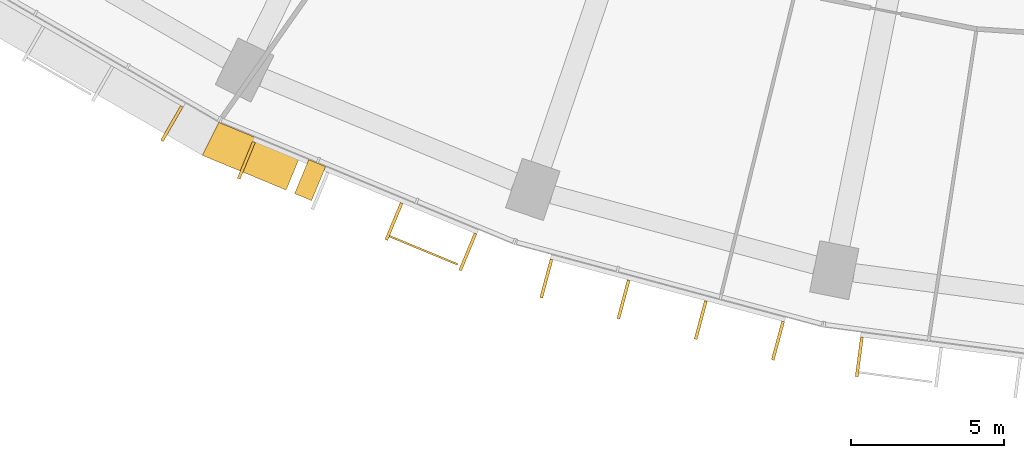
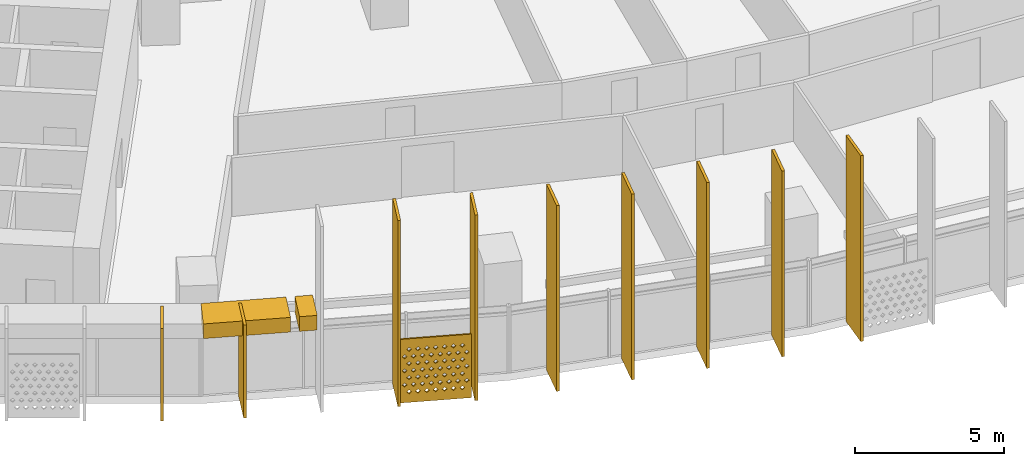
# One storey, part 27 of 33: 12 shading devices.
"""IFC4 building model written with IfcOpenShell, lengths in metres."""

from ifc_helpers import new_model, si_unit, direction, frame, origin, origin_2d, place, context, subcontext, project, spatial, polyline, rectangle, outline, extrude, material, material_profile, profile_set, type_object, element, save


model = new_model("IFC4")

# Units and contexts
model_context = context("Model", 3, precision=1e-05, world=origin(), true_north=direction((0.0, 1.0)))
body_context = subcontext(model_context, "Body", "Model", "MODEL_VIEW")
ifc_project = project(units=[si_unit("LENGTHUNIT", "METRE"), si_unit("AREAUNIT", "SQUARE_METRE"), si_unit("VOLUMEUNIT", "CUBIC_METRE"), si_unit("PLANEANGLEUNIT", "RADIAN"), si_unit("MASSUNIT", "GRAM", prefix="KILO")], contexts=[model_context])

# Site, building, storey
site_placement = place(None, origin())
site = spatial("IfcSite", under=ifc_project, at=site_placement, CompositionType="ELEMENT")
building_placement = place(site_placement, origin())
building = spatial("IfcBuilding", under=site, at=building_placement, Name="Qamariyya Broadcast Tower", CompositionType="ELEMENT")
storey_placement = place(building_placement, frame((0.0, 0.0, 78.5)))
storey = spatial("IfcBuildingStorey", under=building, at=storey_placement, Name="L16", CompositionType="ELEMENT", Elevation=78.5)

# Shading devices
ifc_material_1 = material(Name="Steel S355 powder coated deep red", Category="steel")
shading_device_type_1 = type_object("IfcShadingDeviceType", Name="Deep red frame, powder coated steel box section", PredefinedType="USERDEFINED", material=ifc_material_1)
shading_device_1_placement = place(storey_placement, frame((0.0, 0.0, 3.199951171875)))
element("IfcShadingDevice", 1, at=shading_device_1_placement, inside=storey, type_object=shading_device_type_1, Name="e-frm-B1-F2-postb-L16", ObjectType="FRAME", PredefinedType="USERDEFINED", context=body_context, shape_type="SweptSolid", body=[
    extrude(outline(polyline([(-32.296875, -72.650146484375), (-32.756103515625, -73.7587890625), (-32.201904296875, -73.98828125), (-31.74267578125, -72.879638671875), (-32.296875, -72.650146484375)])), origin(), (0.0, 0.0, 1.0), 0.60009765625),
])
shading_device_2_placement = place(storey_placement, frame((0.0, 0.0, 3.199951171875)))
element("IfcShadingDevice", 2, at=shading_device_2_placement, inside=storey, type_object=shading_device_type_1, Name="e-frm-B1-F2-bot2", ObjectType="FRAME", PredefinedType="USERDEFINED", context=body_context, shape_type="SweptSolid", body=[
    extrude(outline(polyline([(-35.228271484375, -71.43603515625), (-35.76025390625, -72.514404296875), (-33.033203125, -73.64404296875), (-32.573974609375, -72.535400390625), (-35.228271484375, -71.43603515625)])), origin(), (0.0, 0.0, 1.0), 0.60009765625),
])
ifc_material_2 = material(Name="Perforated glazed terracotta", Category="masonry")
ifc_material_profile_1 = material_profile(ifc_material_2, outline(polyline([(-1.199951171875, -1.300048828125), (1.199951171875, -1.300048828125), (1.199951171875, 1.300048828125), (-1.199951171875, 1.300048828125), (-1.199951171875, -1.300048828125)]), holes=[polyline([(-0.81494140625, -0.86669921875), (-0.89990234375, -0.78173828125), (-0.985107421875, -0.86669921875), (-0.89990234375, -0.95166015625), (-0.81494140625, -0.86669921875)]), polyline([(-0.514892578125, -0.86669921875), (-0.60009765625, -0.78173828125), (-0.68505859375, -0.86669921875), (-0.60009765625, -0.95166015625), (-0.514892578125, -0.86669921875)]), polyline([(-0.215087890625, -0.86669921875), (-0.300048828125, -0.78173828125), (-0.385009765625, -0.86669921875), (-0.300048828125, -0.95166015625), (-0.215087890625, -0.86669921875)]), polyline([(0.0849609375, -0.86669921875), (0.0, -0.78173828125), (-0.0849609375, -0.86669921875), (0.0, -0.95166015625), (0.0849609375, -0.86669921875)]), polyline([(0.385009765625, -0.86669921875), (0.300048828125, -0.78173828125), (0.215087890625, -0.86669921875), (0.300048828125, -0.95166015625), (0.385009765625, -0.86669921875)]), polyline([(0.68505859375, -0.86669921875), (0.60009765625, -0.78173828125), (0.514892578125, -0.86669921875), (0.60009765625, -0.95166015625), (0.68505859375, -0.86669921875)]), polyline([(0.985107421875, -0.86669921875), (0.89990234375, -0.78173828125), (0.81494140625, -0.86669921875), (0.89990234375, -0.95166015625), (0.985107421875, -0.86669921875)]), polyline([(-0.965087890625, -0.577880859375), (-1.050048828125, -0.49267578125), (-1.135009765625, -0.577880859375), (-1.050048828125, -0.662841796875), (-0.965087890625, -0.577880859375)]), polyline([(-0.6650390625, -0.577880859375), (-0.75, -0.49267578125), (-0.8349609375, -0.577880859375), (-0.75, -0.662841796875), (-0.6650390625, -0.577880859375)]), polyline([(-0.364990234375, -0.577880859375), (-0.449951171875, -0.49267578125), (-0.534912109375, -0.577880859375), (-0.449951171875, -0.662841796875), (-0.364990234375, -0.577880859375)]), polyline([(-0.06494140625, -0.577880859375), (-0.14990234375, -0.49267578125), (-0.235107421875, -0.577880859375), (-0.14990234375, -0.662841796875), (-0.06494140625, -0.577880859375)]), polyline([(0.235107421875, -0.577880859375), (0.14990234375, -0.49267578125), (0.06494140625, -0.577880859375), (0.14990234375, -0.662841796875), (0.235107421875, -0.577880859375)]), polyline([(0.534912109375, -0.577880859375), (0.449951171875, -0.49267578125), (0.364990234375, -0.577880859375), (0.449951171875, -0.662841796875), (0.534912109375, -0.577880859375)]), polyline([(0.8349609375, -0.577880859375), (0.75, -0.49267578125), (0.6650390625, -0.577880859375), (0.75, -0.662841796875), (0.8349609375, -0.577880859375)]), polyline([(1.135009765625, -0.577880859375), (1.050048828125, -0.49267578125), (0.965087890625, -0.577880859375), (1.050048828125, -0.662841796875), (1.135009765625, -0.577880859375)]), polyline([(-0.81494140625, -0.288818359375), (-0.89990234375, -0.203857421875), (-0.985107421875, -0.288818359375), (-0.89990234375, -0.373779296875), (-0.81494140625, -0.288818359375)]), polyline([(-0.514892578125, -0.288818359375), (-0.60009765625, -0.203857421875), (-0.68505859375, -0.288818359375), (-0.60009765625, -0.373779296875), (-0.514892578125, -0.288818359375)]), polyline([(-0.215087890625, -0.288818359375), (-0.300048828125, -0.203857421875), (-0.385009765625, -0.288818359375), (-0.300048828125, -0.373779296875), (-0.215087890625, -0.288818359375)]), polyline([(0.0849609375, -0.288818359375), (0.0, -0.203857421875), (-0.0849609375, -0.288818359375), (0.0, -0.373779296875), (0.0849609375, -0.288818359375)]), polyline([(0.385009765625, -0.288818359375), (0.300048828125, -0.203857421875), (0.215087890625, -0.288818359375), (0.300048828125, -0.373779296875), (0.385009765625, -0.288818359375)]), polyline([(0.68505859375, -0.288818359375), (0.60009765625, -0.203857421875), (0.514892578125, -0.288818359375), (0.60009765625, -0.373779296875), (0.68505859375, -0.288818359375)]), polyline([(0.985107421875, -0.288818359375), (0.89990234375, -0.203857421875), (0.81494140625, -0.288818359375), (0.89990234375, -0.373779296875), (0.985107421875, -0.288818359375)]), polyline([(-0.965087890625, 0.0), (-1.050048828125, 0.0849609375), (-1.135009765625, 0.0), (-1.050048828125, -0.0849609375), (-0.965087890625, 0.0)]), polyline([(-0.6650390625, 0.0), (-0.75, 0.0849609375), (-0.8349609375, 0.0), (-0.75, -0.0849609375), (-0.6650390625, 0.0)]), polyline([(-0.364990234375, 0.0), (-0.449951171875, 0.0849609375), (-0.534912109375, 0.0), (-0.449951171875, -0.0849609375), (-0.364990234375, 0.0)]), polyline([(-0.06494140625, 0.0), (-0.14990234375, 0.0849609375), (-0.235107421875, 0.0), (-0.14990234375, -0.0849609375), (-0.06494140625, 0.0)]), polyline([(0.235107421875, 0.0), (0.14990234375, 0.0849609375), (0.06494140625, 0.0), (0.14990234375, -0.0849609375), (0.235107421875, 0.0)]), polyline([(0.534912109375, 0.0), (0.449951171875, 0.0849609375), (0.364990234375, 0.0), (0.449951171875, -0.0849609375), (0.534912109375, 0.0)]), polyline([(0.8349609375, 0.0), (0.75, 0.0849609375), (0.6650390625, 0.0), (0.75, -0.0849609375), (0.8349609375, 0.0)]), polyline([(1.135009765625, 0.0), (1.050048828125, 0.0849609375), (0.965087890625, 0.0), (1.050048828125, -0.0849609375), (1.135009765625, 0.0)]), polyline([(-0.81494140625, 0.288818359375), (-0.89990234375, 0.373779296875), (-0.985107421875, 0.288818359375), (-0.89990234375, 0.203857421875), (-0.81494140625, 0.288818359375)]), polyline([(-0.514892578125, 0.288818359375), (-0.60009765625, 0.373779296875), (-0.68505859375, 0.288818359375), (-0.60009765625, 0.203857421875), (-0.514892578125, 0.288818359375)]), polyline([(-0.215087890625, 0.288818359375), (-0.300048828125, 0.373779296875), (-0.385009765625, 0.288818359375), (-0.300048828125, 0.203857421875), (-0.215087890625, 0.288818359375)]), polyline([(0.0849609375, 0.288818359375), (0.0, 0.373779296875), (-0.0849609375, 0.288818359375), (0.0, 0.203857421875), (0.0849609375, 0.288818359375)]), polyline([(0.385009765625, 0.288818359375), (0.300048828125, 0.373779296875), (0.215087890625, 0.288818359375), (0.300048828125, 0.203857421875), (0.385009765625, 0.288818359375)]), polyline([(0.68505859375, 0.288818359375), (0.60009765625, 0.373779296875), (0.514892578125, 0.288818359375), (0.60009765625, 0.203857421875), (0.68505859375, 0.288818359375)]), polyline([(0.985107421875, 0.288818359375), (0.89990234375, 0.373779296875), (0.81494140625, 0.288818359375), (0.89990234375, 0.203857421875), (0.985107421875, 0.288818359375)]), polyline([(-0.965087890625, 0.577880859375), (-1.050048828125, 0.662841796875), (-1.135009765625, 0.577880859375), (-1.050048828125, 0.49267578125), (-0.965087890625, 0.577880859375)]), polyline([(-0.6650390625, 0.577880859375), (-0.75, 0.662841796875), (-0.8349609375, 0.577880859375), (-0.75, 0.49267578125), (-0.6650390625, 0.577880859375)]), polyline([(-0.364990234375, 0.577880859375), (-0.449951171875, 0.662841796875), (-0.534912109375, 0.577880859375), (-0.449951171875, 0.49267578125), (-0.364990234375, 0.577880859375)]), polyline([(-0.06494140625, 0.577880859375), (-0.14990234375, 0.662841796875), (-0.235107421875, 0.577880859375), (-0.14990234375, 0.49267578125), (-0.06494140625, 0.577880859375)]), polyline([(0.235107421875, 0.577880859375), (0.14990234375, 0.662841796875), (0.06494140625, 0.577880859375), (0.14990234375, 0.49267578125), (0.235107421875, 0.577880859375)]), polyline([(0.534912109375, 0.577880859375), (0.449951171875, 0.662841796875), (0.364990234375, 0.577880859375), (0.449951171875, 0.49267578125), (0.534912109375, 0.577880859375)]), polyline([(0.8349609375, 0.577880859375), (0.75, 0.662841796875), (0.6650390625, 0.577880859375), (0.75, 0.49267578125), (0.8349609375, 0.577880859375)]), polyline([(1.135009765625, 0.577880859375), (1.050048828125, 0.662841796875), (0.965087890625, 0.577880859375), (1.050048828125, 0.49267578125), (1.135009765625, 0.577880859375)]), polyline([(-0.81494140625, 0.86669921875), (-0.89990234375, 0.95166015625), (-0.985107421875, 0.86669921875), (-0.89990234375, 0.78173828125), (-0.81494140625, 0.86669921875)]), polyline([(-0.514892578125, 0.86669921875), (-0.60009765625, 0.95166015625), (-0.68505859375, 0.86669921875), (-0.60009765625, 0.78173828125), (-0.514892578125, 0.86669921875)]), polyline([(-0.215087890625, 0.86669921875), (-0.300048828125, 0.95166015625), (-0.385009765625, 0.86669921875), (-0.300048828125, 0.78173828125), (-0.215087890625, 0.86669921875)]), polyline([(0.0849609375, 0.86669921875), (0.0, 0.95166015625), (-0.0849609375, 0.86669921875), (0.0, 0.78173828125), (0.0849609375, 0.86669921875)]), polyline([(0.385009765625, 0.86669921875), (0.300048828125, 0.95166015625), (0.215087890625, 0.86669921875), (0.300048828125, 0.78173828125), (0.385009765625, 0.86669921875)]), polyline([(0.68505859375, 0.86669921875), (0.60009765625, 0.95166015625), (0.514892578125, 0.86669921875), (0.60009765625, 0.78173828125), (0.68505859375, 0.86669921875)]), polyline([(0.985107421875, 0.86669921875), (0.89990234375, 0.95166015625), (0.81494140625, 0.86669921875), (0.89990234375, 0.78173828125), (0.985107421875, 0.86669921875)])]))
ifc_profile_set_1 = profile_set([ifc_material_profile_1], Name="Perforated glazed terracotta")
shading_device_type_2 = type_object("IfcShadingDeviceType", Name="Perforated terracotta screen 2400 x 2600", PredefinedType="USERDEFINED", material=ifc_profile_set_1)
shading_device_3_placement = place(storey_placement, frame((-28.54345703125, -75.57958984375, 1.35009765625), z_axis=(-0.382591441855, -0.923917630863, 0.0), x_axis=(0.923917630863, -0.382591441855, 0.0)))
element("IfcShadingDevice", 3, at=shading_device_3_placement, inside=storey, type_object=shading_device_type_2, Name="e-scr-L16-05-2", ObjectType="SCREEN", PredefinedType="USERDEFINED", context=body_context, shape_type="SweptSolid", body=[
    extrude(outline(polyline([(-1.199951171875, -1.300048828125), (1.199951171875, -1.300048828125), (1.199951171875, 1.300048828125), (-1.199951171875, 1.300048828125), (-1.199951171875, -1.300048828125)]), holes=[polyline([(-0.81494140625, -0.86669921875), (-0.89990234375, -0.78173828125), (-0.985107421875, -0.86669921875), (-0.89990234375, -0.95166015625), (-0.81494140625, -0.86669921875)]), polyline([(-0.514892578125, -0.86669921875), (-0.60009765625, -0.78173828125), (-0.68505859375, -0.86669921875), (-0.60009765625, -0.95166015625), (-0.514892578125, -0.86669921875)]), polyline([(-0.215087890625, -0.86669921875), (-0.300048828125, -0.78173828125), (-0.385009765625, -0.86669921875), (-0.300048828125, -0.95166015625), (-0.215087890625, -0.86669921875)]), polyline([(0.0849609375, -0.86669921875), (0.0, -0.78173828125), (-0.0849609375, -0.86669921875), (0.0, -0.95166015625), (0.0849609375, -0.86669921875)]), polyline([(0.385009765625, -0.86669921875), (0.300048828125, -0.78173828125), (0.215087890625, -0.86669921875), (0.300048828125, -0.95166015625), (0.385009765625, -0.86669921875)]), polyline([(0.68505859375, -0.86669921875), (0.60009765625, -0.78173828125), (0.514892578125, -0.86669921875), (0.60009765625, -0.95166015625), (0.68505859375, -0.86669921875)]), polyline([(0.985107421875, -0.86669921875), (0.89990234375, -0.78173828125), (0.81494140625, -0.86669921875), (0.89990234375, -0.95166015625), (0.985107421875, -0.86669921875)]), polyline([(-0.965087890625, -0.577880859375), (-1.050048828125, -0.49267578125), (-1.135009765625, -0.577880859375), (-1.050048828125, -0.662841796875), (-0.965087890625, -0.577880859375)]), polyline([(-0.6650390625, -0.577880859375), (-0.75, -0.49267578125), (-0.8349609375, -0.577880859375), (-0.75, -0.662841796875), (-0.6650390625, -0.577880859375)]), polyline([(-0.364990234375, -0.577880859375), (-0.449951171875, -0.49267578125), (-0.534912109375, -0.577880859375), (-0.449951171875, -0.662841796875), (-0.364990234375, -0.577880859375)]), polyline([(-0.06494140625, -0.577880859375), (-0.14990234375, -0.49267578125), (-0.235107421875, -0.577880859375), (-0.14990234375, -0.662841796875), (-0.06494140625, -0.577880859375)]), polyline([(0.235107421875, -0.577880859375), (0.14990234375, -0.49267578125), (0.06494140625, -0.577880859375), (0.14990234375, -0.662841796875), (0.235107421875, -0.577880859375)]), polyline([(0.534912109375, -0.577880859375), (0.449951171875, -0.49267578125), (0.364990234375, -0.577880859375), (0.449951171875, -0.662841796875), (0.534912109375, -0.577880859375)]), polyline([(0.8349609375, -0.577880859375), (0.75, -0.49267578125), (0.6650390625, -0.577880859375), (0.75, -0.662841796875), (0.8349609375, -0.577880859375)]), polyline([(1.135009765625, -0.577880859375), (1.050048828125, -0.49267578125), (0.965087890625, -0.577880859375), (1.050048828125, -0.662841796875), (1.135009765625, -0.577880859375)]), polyline([(-0.81494140625, -0.288818359375), (-0.89990234375, -0.203857421875), (-0.985107421875, -0.288818359375), (-0.89990234375, -0.373779296875), (-0.81494140625, -0.288818359375)]), polyline([(-0.514892578125, -0.288818359375), (-0.60009765625, -0.203857421875), (-0.68505859375, -0.288818359375), (-0.60009765625, -0.373779296875), (-0.514892578125, -0.288818359375)]), polyline([(-0.215087890625, -0.288818359375), (-0.300048828125, -0.203857421875), (-0.385009765625, -0.288818359375), (-0.300048828125, -0.373779296875), (-0.215087890625, -0.288818359375)]), polyline([(0.0849609375, -0.288818359375), (0.0, -0.203857421875), (-0.0849609375, -0.288818359375), (0.0, -0.373779296875), (0.0849609375, -0.288818359375)]), polyline([(0.385009765625, -0.288818359375), (0.300048828125, -0.203857421875), (0.215087890625, -0.288818359375), (0.300048828125, -0.373779296875), (0.385009765625, -0.288818359375)]), polyline([(0.68505859375, -0.288818359375), (0.60009765625, -0.203857421875), (0.514892578125, -0.288818359375), (0.60009765625, -0.373779296875), (0.68505859375, -0.288818359375)]), polyline([(0.985107421875, -0.288818359375), (0.89990234375, -0.203857421875), (0.81494140625, -0.288818359375), (0.89990234375, -0.373779296875), (0.985107421875, -0.288818359375)]), polyline([(-0.965087890625, 0.0), (-1.050048828125, 0.0849609375), (-1.135009765625, 0.0), (-1.050048828125, -0.0849609375), (-0.965087890625, 0.0)]), polyline([(-0.6650390625, 0.0), (-0.75, 0.0849609375), (-0.8349609375, 0.0), (-0.75, -0.0849609375), (-0.6650390625, 0.0)]), polyline([(-0.364990234375, 0.0), (-0.449951171875, 0.0849609375), (-0.534912109375, 0.0), (-0.449951171875, -0.0849609375), (-0.364990234375, 0.0)]), polyline([(-0.06494140625, 0.0), (-0.14990234375, 0.0849609375), (-0.235107421875, 0.0), (-0.14990234375, -0.0849609375), (-0.06494140625, 0.0)]), polyline([(0.235107421875, 0.0), (0.14990234375, 0.0849609375), (0.06494140625, 0.0), (0.14990234375, -0.0849609375), (0.235107421875, 0.0)]), polyline([(0.534912109375, 0.0), (0.449951171875, 0.0849609375), (0.364990234375, 0.0), (0.449951171875, -0.0849609375), (0.534912109375, 0.0)]), polyline([(0.8349609375, 0.0), (0.75, 0.0849609375), (0.6650390625, 0.0), (0.75, -0.0849609375), (0.8349609375, 0.0)]), polyline([(1.135009765625, 0.0), (1.050048828125, 0.0849609375), (0.965087890625, 0.0), (1.050048828125, -0.0849609375), (1.135009765625, 0.0)]), polyline([(-0.81494140625, 0.288818359375), (-0.89990234375, 0.373779296875), (-0.985107421875, 0.288818359375), (-0.89990234375, 0.203857421875), (-0.81494140625, 0.288818359375)]), polyline([(-0.514892578125, 0.288818359375), (-0.60009765625, 0.373779296875), (-0.68505859375, 0.288818359375), (-0.60009765625, 0.203857421875), (-0.514892578125, 0.288818359375)]), polyline([(-0.215087890625, 0.288818359375), (-0.300048828125, 0.373779296875), (-0.385009765625, 0.288818359375), (-0.300048828125, 0.203857421875), (-0.215087890625, 0.288818359375)]), polyline([(0.0849609375, 0.288818359375), (0.0, 0.373779296875), (-0.0849609375, 0.288818359375), (0.0, 0.203857421875), (0.0849609375, 0.288818359375)]), polyline([(0.385009765625, 0.288818359375), (0.300048828125, 0.373779296875), (0.215087890625, 0.288818359375), (0.300048828125, 0.203857421875), (0.385009765625, 0.288818359375)]), polyline([(0.68505859375, 0.288818359375), (0.60009765625, 0.373779296875), (0.514892578125, 0.288818359375), (0.60009765625, 0.203857421875), (0.68505859375, 0.288818359375)]), polyline([(0.985107421875, 0.288818359375), (0.89990234375, 0.373779296875), (0.81494140625, 0.288818359375), (0.89990234375, 0.203857421875), (0.985107421875, 0.288818359375)]), polyline([(-0.965087890625, 0.577880859375), (-1.050048828125, 0.662841796875), (-1.135009765625, 0.577880859375), (-1.050048828125, 0.49267578125), (-0.965087890625, 0.577880859375)]), polyline([(-0.6650390625, 0.577880859375), (-0.75, 0.662841796875), (-0.8349609375, 0.577880859375), (-0.75, 0.49267578125), (-0.6650390625, 0.577880859375)]), polyline([(-0.364990234375, 0.577880859375), (-0.449951171875, 0.662841796875), (-0.534912109375, 0.577880859375), (-0.449951171875, 0.49267578125), (-0.364990234375, 0.577880859375)]), polyline([(-0.06494140625, 0.577880859375), (-0.14990234375, 0.662841796875), (-0.235107421875, 0.577880859375), (-0.14990234375, 0.49267578125), (-0.06494140625, 0.577880859375)]), polyline([(0.235107421875, 0.577880859375), (0.14990234375, 0.662841796875), (0.06494140625, 0.577880859375), (0.14990234375, 0.49267578125), (0.235107421875, 0.577880859375)]), polyline([(0.534912109375, 0.577880859375), (0.449951171875, 0.662841796875), (0.364990234375, 0.577880859375), (0.449951171875, 0.49267578125), (0.534912109375, 0.577880859375)]), polyline([(0.8349609375, 0.577880859375), (0.75, 0.662841796875), (0.6650390625, 0.577880859375), (0.75, 0.49267578125), (0.8349609375, 0.577880859375)]), polyline([(1.135009765625, 0.577880859375), (1.050048828125, 0.662841796875), (0.965087890625, 0.577880859375), (1.050048828125, 0.49267578125), (1.135009765625, 0.577880859375)]), polyline([(-0.81494140625, 0.86669921875), (-0.89990234375, 0.95166015625), (-0.985107421875, 0.86669921875), (-0.89990234375, 0.78173828125), (-0.81494140625, 0.86669921875)]), polyline([(-0.514892578125, 0.86669921875), (-0.60009765625, 0.95166015625), (-0.68505859375, 0.86669921875), (-0.60009765625, 0.78173828125), (-0.514892578125, 0.86669921875)]), polyline([(-0.215087890625, 0.86669921875), (-0.300048828125, 0.95166015625), (-0.385009765625, 0.86669921875), (-0.300048828125, 0.78173828125), (-0.215087890625, 0.86669921875)]), polyline([(0.0849609375, 0.86669921875), (0.0, 0.95166015625), (-0.0849609375, 0.86669921875), (0.0, 0.78173828125), (0.0849609375, 0.86669921875)]), polyline([(0.385009765625, 0.86669921875), (0.300048828125, 0.95166015625), (0.215087890625, 0.86669921875), (0.300048828125, 0.78173828125), (0.385009765625, 0.86669921875)]), polyline([(0.68505859375, 0.86669921875), (0.60009765625, 0.95166015625), (0.514892578125, 0.86669921875), (0.60009765625, 0.78173828125), (0.68505859375, 0.86669921875)]), polyline([(0.985107421875, 0.86669921875), (0.89990234375, 0.95166015625), (0.81494140625, 0.86669921875), (0.89990234375, 0.78173828125), (0.985107421875, 0.86669921875)])]), origin(), (0.0, 0.0, 1.0), 0.06005859375),
])
ifc_material_3 = material(Name="Glazed terracotta", Category="masonry")
ifc_material_profile_2 = material_profile(ifc_material_3, rectangle(XDim=1.300048828125, YDim=0.10009765625, at=origin_2d()))
ifc_profile_set_2 = profile_set([ifc_material_profile_2], Name="Glazed terracotta")
shading_device_type_3 = type_object("IfcShadingDeviceType", Name="Terracotta fin 100 x 1300", PredefinedType="USERDEFINED", material=ifc_profile_set_2)
for number, where, z_axis, x_axis, name in (
    (4, (-36.756103515625, -71.4775390625, 0.0), (0.0, 0.0, 1.0), (-0.5, -0.866025403784, 0.0), "e-fin-L16-04-3"),
    (5, (-34.331298828125, -72.67333984375, 0.0), (0.0, 0.0, 1.0), (-0.382683432365, -0.923879532511, 0.0), "e-fin-L16-05-0"),
):
    element("IfcShadingDevice", number, at=place(storey_placement, frame(where, z_axis=z_axis, x_axis=x_axis)), inside=storey, type_object=shading_device_type_3, Name=name, ObjectType="FIN", PredefinedType="USERDEFINED", context=body_context, shape_type="SweptSolid", body=[
        extrude(rectangle(XDim=1.300048828125, YDim=0.10009765625, at=origin_2d()), origin(), (0.0, 0.0, 1.0), 3.800048828125),
    ])
for number, where, z_axis, x_axis, name in (
    (6, (-29.518310546875, -74.6669921875, 0.0), (0.0, 0.0, 1.0), (-0.382683432365, -0.923879532511, 0.0), "e-fin-L16-05-2"),
    (7, (-27.112060546875, -75.663818359375, 0.0), (0.0, 0.0, 1.0), (-0.382683432365, -0.923879532511, 0.0), "e-fin-L16-05-3"),
    (8, (-24.5517578125, -76.53271484375, 0.0), (0.0, 0.0, 1.0), (-0.258819045103, -0.965925826289, 0.0), "e-fin-L16-06-0"),
    (9, (-22.035888671875, -77.20703125, 0.0), (0.0, 0.0, 1.0), (-0.258819045103, -0.965925826289, 0.0), "e-fin-L16-06-1"),
    (10, (-19.519775390625, -77.881103515625, 0.0), (0.0, 0.0, 1.0), (-0.258819045103, -0.965925826289, 0.0), "e-fin-L16-06-2"),
    (11, (-17.00390625, -78.55517578125, 0.0), (0.0, 0.0, 1.0), (-0.258819045103, -0.965925826289, 0.0), "e-fin-L16-06-3"),
    (12, (-14.35205078125, -79.082763671875, 0.0), (0.0, 0.0, 1.0), (-0.13052619222, -0.991444861374, 0.0), "e-fin-L16-07-0"),
):
    element("IfcShadingDevice", number, at=place(storey_placement, frame(where, z_axis=z_axis, x_axis=x_axis)), inside=storey, type_object=shading_device_type_3, Name=name, ObjectType="FIN", PredefinedType="USERDEFINED", context=body_context, shape_type="SweptSolid", body=[
        extrude(rectangle(XDim=1.300048828125, YDim=0.10009765625, at=origin_2d()), origin(), (0.0, 0.0, 1.0), 7.60009765625),
    ])

save(model, "model.ifc")
